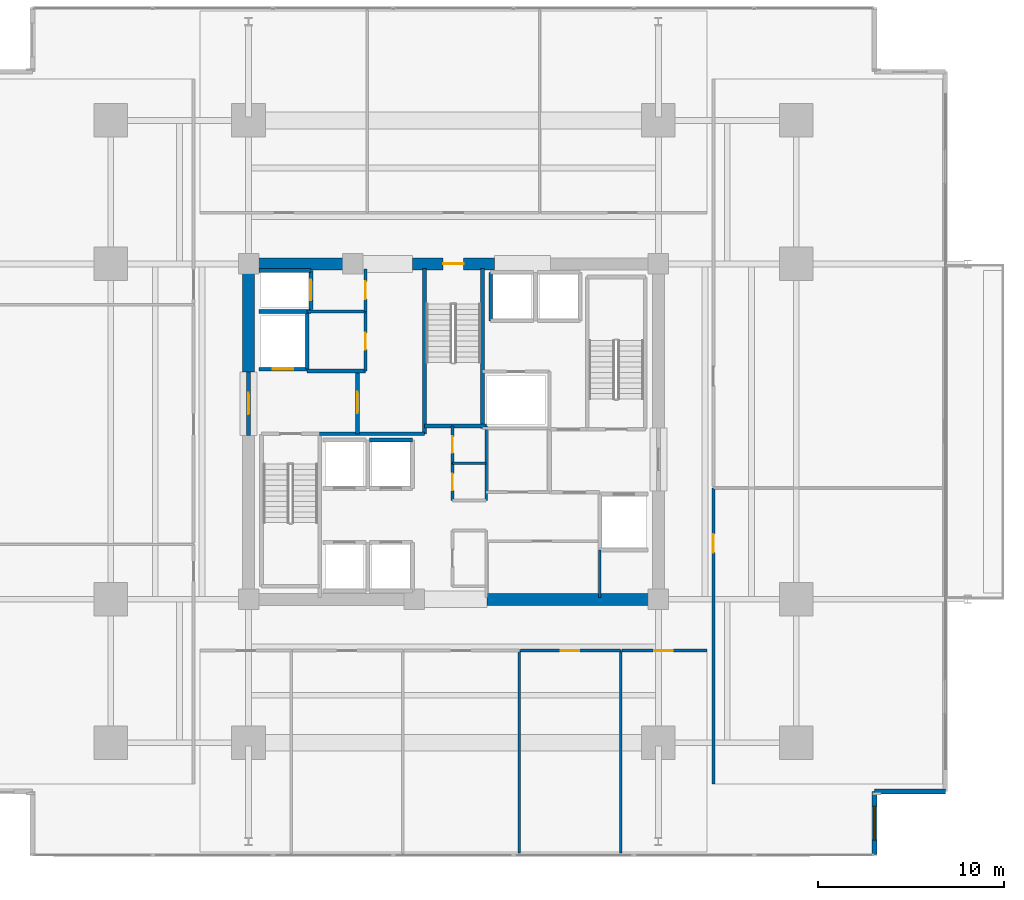
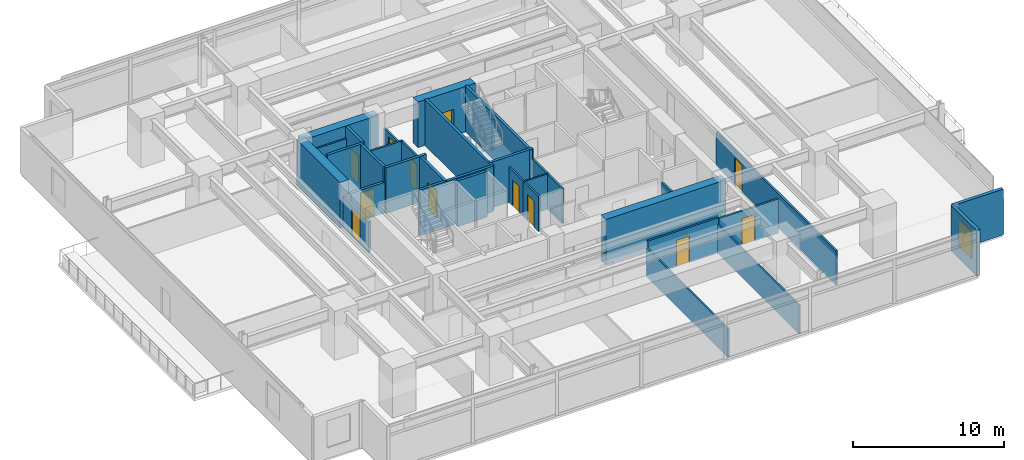
# One storey, part 17 of 23: 33 walls, 12 doors, 1 window, 13 openings.
"""IFC4 building model written with IfcOpenShell, lengths in metres."""

from ifc_helpers import new_model, si_unit, direction, frame, frame_2d, origin, place, context, subcontext, project, spatial, rectangle, extrude, material, layer, layer_set, type_object, element, fill, save


model = new_model("IFC4")

# Units and contexts
model_context = context("Model", 3, precision=1e-05, world=origin(), true_north=direction((0.0, 1.0)))
body_context = subcontext(model_context, "Body", "Model", "MODEL_VIEW")
ifc_project = project(units=[si_unit("LENGTHUNIT", "METRE"), si_unit("AREAUNIT", "SQUARE_METRE"), si_unit("VOLUMEUNIT", "CUBIC_METRE"), si_unit("PLANEANGLEUNIT", "RADIAN"), si_unit("MASSUNIT", "GRAM", prefix="KILO")], contexts=[model_context])

# Site, building, storey
site_placement = place(None, origin())
site = spatial("IfcSite", under=ifc_project, at=site_placement, CompositionType="ELEMENT")
building_placement = place(site_placement, origin())
building = spatial("IfcBuilding", under=site, at=building_placement, Name="Kovane Verandah Tower", CompositionType="ELEMENT")
storey_placement = place(building_placement, frame((0.0, 0.0, 103.60009765625)))
storey = spatial("IfcBuildingStorey", under=building, at=storey_placement, Name="L24", CompositionType="ELEMENT", Elevation=103.60009765625)

# Wall
ifc_material_1 = material(Name="Fire-Rated Gypsum Stud Partition", Category="gypsum")
ifc_layer_1 = layer(ifc_material_1, 0.14990234375)
ifc_layer_set_1 = layer_set([ifc_layer_1], Name="Fire-Rated Gypsum Stud Partition")
wall_type_1 = type_object("IfcWallType", Name="WL-COR-150", PredefinedType="PARTITIONING", material=ifc_layer_set_1)
wall_1_placement = place(storey_placement, frame((41.760009765625, 23.800048828125, 0.0), z_axis=(0.0, 0.0, 1.0), x_axis=(0.0, 1.0, 0.0)))
element("IfcWall", 1, at=wall_1_placement, inside=storey, type_object=wall_type_1, Name="L24 Central Core Strip Upper East Wall", PredefinedType="PARTITIONING", context=body_context, shape_type="SweptSolid", body=[
    extrude(rectangle(XDim=4.0, YDim=0.14990234375, at=frame_2d((2.0, 0.0))), origin(), (0.0, 0.0, 1.0), 2.849853515625),
])

# Wall, opening, door
wall_2_placement = place(storey_placement, frame((39.949951171875, 23.800048828125, 0.0), z_axis=(0.0, 0.0, 1.0), x_axis=(0.0, 1.0, 0.0)))
wall_2 = element("IfcWall", 2, at=wall_2_placement, inside=storey, type_object=wall_type_1, Name="L24 Female Toilet Partition", PredefinedType="PARTITIONING", context=body_context, shape_type="SweptSolid", body=[
    extrude(rectangle(XDim=2.0, YDim=0.14990234375, at=frame_2d((1.0, 0.0))), origin(), (0.0, 0.0, 1.0), 2.849853515625),
])
opening_1_placement = place(wall_2_placement, frame((0.550048828125, 0.0, 0.0)))
opening_1 = element("IfcOpeningElement", 3, at=opening_1_placement, cuts=wall_2, Name="Opening DR-L24-027", PredefinedType="OPENING", context=body_context, shape_type="SweptSolid", body=[
    extrude(rectangle(XDim=0.89990234375, YDim=2.10009765625, at=frame_2d((0.449951171875, 1.050048828125))), frame((0.0, 0.074951171875, 0.0), z_axis=(0.0, -1.0, 0.0), x_axis=(1.0, 0.0, 0.0)), (0.0, 0.0, 1.0), 0.14990234375),
])
ifc_material_2 = material(Name="Moisture-Resistant Laminate Washroom Door", Category="wood")
door_type_1 = type_object("IfcDoorType", Name="DR-WC-900", OperationType="SINGLE_SWING_LEFT", PredefinedType="DOOR", material=ifc_material_2)
door_1_placement = place(opening_1_placement, origin())
door_1 = element("IfcDoor", 4, at=door_1_placement, inside=storey, type_object=door_type_1, Name="L24 Female Toilet Door", OperationType="SINGLE_SWING_RIGHT", OverallHeight=2.10009765625, OverallWidth=0.89990234375, PredefinedType="DOOR", context=body_context, shape_type="SweptSolid", body=[
    extrude(rectangle(XDim=0.89990234375, YDim=2.10009765625, at=frame_2d((0.449951171875, 1.050048828125))), frame((0.0, 0.02490234375, 0.0), z_axis=(0.0, -1.0, 0.0), x_axis=(1.0, 0.0, 0.0)), (0.0, 0.0, 1.0), 0.050048828125),
])
fill(opening_1, door_1)

wall_3_placement = place(storey_placement, frame((39.949951171875, 25.800048828125, 0.0), z_axis=(0.0, 0.0, 1.0), x_axis=(0.0, 1.0, 0.0)))
wall_3 = element("IfcWall", 5, at=wall_3_placement, inside=storey, type_object=wall_type_1, Name="L24 Telecom and BMS Riser Room Partition", PredefinedType="PARTITIONING", context=body_context, shape_type="SweptSolid", body=[
    extrude(rectangle(XDim=2.0, YDim=0.14990234375, at=frame_2d((1.0, 0.0))), origin(), (0.0, 0.0, 1.0), 2.849853515625),
])
opening_2_placement = place(wall_3_placement, frame((0.56005859375, 0.0, 0.0)))
opening_2 = element("IfcOpeningElement", 6, at=opening_2_placement, cuts=wall_3, Name="Opening DR-L24-025", PredefinedType="OPENING", context=body_context, shape_type="SweptSolid", body=[
    extrude(rectangle(XDim=0.8798828125, YDim=2.10009765625, at=frame_2d((0.43994140625, 1.050048828125))), frame((0.0, 0.074951171875, 0.0), z_axis=(0.0, -1.0, 0.0), x_axis=(1.0, 0.0, 0.0)), (0.0, 0.0, 1.0), 0.14990234375),
])
ifc_material_3 = material(Name="Fire-Rated Steel Riser Access Door", Category="steel")
door_type_2 = type_object("IfcDoorType", Name="DR-RISER-880", OperationType="SINGLE_SWING_LEFT", PredefinedType="DOOR", material=ifc_material_3)
door_2_placement = place(opening_2_placement, origin())
door_2 = element("IfcDoor", 7, at=door_2_placement, inside=storey, type_object=door_type_2, Name="L24 Telecom and BMS Riser Room Door", OperationType="SINGLE_SWING_LEFT", OverallHeight=2.10009765625, OverallWidth=0.8798828125, PredefinedType="DOOR", context=body_context, shape_type="SweptSolid", body=[
    extrude(rectangle(XDim=0.8798828125, YDim=2.10009765625, at=frame_2d((0.43994140625, 1.050048828125))), frame((0.0, 0.02490234375, 0.0), z_axis=(0.0, -1.0, 0.0), x_axis=(1.0, 0.0, 0.0)), (0.0, 0.0, 1.0), 0.050048828125),
])
fill(opening_2, door_2)

# Wall
wall_4_placement = place(storey_placement, frame((32.14990234375, 33.949951171875, 0.0), z_axis=(0.0, 0.0, 1.0), x_axis=(1.0, 0.0, 0.0)))
element("IfcWall", 8, at=wall_4_placement, inside=storey, type_object=wall_type_1, Name="L24 Goods Lift Lobby South Wall", PredefinedType="PARTITIONING", context=body_context, shape_type="SweptSolid", body=[
    extrude(rectangle(XDim=3.130126953125, YDim=0.14990234375, at=frame_2d((1.56494140625, 0.0))), origin(), (0.0, 0.0, 1.0), 2.849853515625),
])

# Wall, opening, door
wall_5_placement = place(storey_placement, frame((35.280029296875, 33.949951171875, 0.0), z_axis=(0.0, 0.0, 1.0), x_axis=(0.0, 1.0, 0.0)))
wall_5 = element("IfcWall", 9, at=wall_5_placement, inside=storey, type_object=wall_type_1, Name="L24 Goods Lift Lobby East Fire Partition", PredefinedType="PARTITIONING", context=body_context, shape_type="SweptSolid", body=[
    extrude(rectangle(XDim=2.27001953125, YDim=0.14990234375, at=frame_2d((1.135009765625, 0.0))), origin(), (0.0, 0.0, 1.0), 2.47998046875),
])
opening_3_placement = place(wall_5_placement, frame((0.659912109375, 0.0, 0.0)))
opening_3 = element("IfcOpeningElement", 10, at=opening_3_placement, cuts=wall_5, Name="Opening DR-L24-008", PredefinedType="OPENING", context=body_context, shape_type="SweptSolid", body=[
    extrude(rectangle(XDim=0.949951171875, YDim=2.14990234375, at=frame_2d((0.47509765625, 1.074951171875))), frame((0.0, 0.074951171875, 0.0), z_axis=(0.0, -1.0, 0.0), x_axis=(1.0, 0.0, 0.0)), (0.0, 0.0, 1.0), 0.14990234375),
])
ifc_material_4 = material(Name="Fire-Rated Steel Refuge and Lobby Door", Category="steel")
door_type_3 = type_object("IfcDoorType", Name="DR-FIRE-950", OperationType="SINGLE_SWING_LEFT", PredefinedType="DOOR", material=ifc_material_4)
door_3_placement = place(opening_3_placement, origin())
door_3 = element("IfcDoor", 11, at=door_3_placement, inside=storey, type_object=door_type_3, Name="L24 Goods Lift Lobby Fire Door", OperationType="SINGLE_SWING_RIGHT", OverallHeight=2.14990234375, OverallWidth=0.949951171875, PredefinedType="DOOR", context=body_context, shape_type="SweptSolid", body=[
    extrude(rectangle(XDim=0.949951171875, YDim=2.14990234375, at=frame_2d((0.47509765625, 1.074951171875))), frame((0.0, 0.02490234375, 0.0), z_axis=(0.0, -1.0, 0.0), x_axis=(1.0, 0.0, 0.0)), (0.0, 0.0, 1.0), 0.050048828125),
])
fill(opening_3, door_3)

wall_6_placement = place(storey_placement, frame((35.280029296875, 30.75, 0.0), z_axis=(0.0, 0.0, 1.0), x_axis=(0.0, 1.0, 0.0)))
wall_6 = element("IfcWall", 12, at=wall_6_placement, inside=storey, type_object=wall_type_1, Name="L24 Accessible Unisex Toilet Partition", PredefinedType="PARTITIONING", context=body_context, shape_type="SweptSolid", body=[
    extrude(rectangle(XDim=3.199951171875, YDim=0.14990234375, at=frame_2d((1.60009765625, 0.0))), origin(), (0.0, 0.0, 1.0), 2.849853515625),
])
opening_4_placement = place(wall_6_placement, frame((1.14990234375, 0.0, 0.0)))
opening_4 = element("IfcOpeningElement", 13, at=opening_4_placement, cuts=wall_6, Name="Opening DR-L24-026", PredefinedType="OPENING", context=body_context, shape_type="SweptSolid", body=[
    extrude(rectangle(XDim=0.89990234375, YDim=2.10009765625, at=frame_2d((0.449951171875, 1.050048828125))), frame((0.0, 0.074951171875, 0.0), z_axis=(0.0, -1.0, 0.0), x_axis=(1.0, 0.0, 0.0)), (0.0, 0.0, 1.0), 0.14990234375),
])
door_4_placement = place(opening_4_placement, origin())
door_4 = element("IfcDoor", 14, at=door_4_placement, inside=storey, type_object=door_type_1, Name="L24 Accessible Unisex Toilet Door", OperationType="SINGLE_SWING_LEFT", OverallHeight=2.10009765625, OverallWidth=0.89990234375, PredefinedType="DOOR", context=body_context, shape_type="SweptSolid", body=[
    extrude(rectangle(XDim=0.89990234375, YDim=2.10009765625, at=frame_2d((0.449951171875, 1.050048828125))), frame((0.0, 0.02490234375, 0.0), z_axis=(0.0, -1.0, 0.0), x_axis=(1.0, 0.0, 0.0)), (0.0, 0.0, 1.0), 0.050048828125),
])
fill(opening_4, door_4)

# Wall
wall_7_placement = place(storey_placement, frame((47.85009765625, 18.60009765625, 0.0), z_axis=(0.0, 0.0, 1.0), x_axis=(0.0, 1.0, 0.0)))
element("IfcWall", 15, at=wall_7_placement, inside=storey, type_object=wall_type_1, Name="L24 East Core Support East Wall", PredefinedType="PARTITIONING", context=body_context, shape_type="SweptSolid", body=[
    extrude(rectangle(XDim=2.539794921875, YDim=0.14990234375, at=frame_2d((1.27001953125, 0.0))), origin(), (0.0, 0.0, 1.0), 2.849853515625),
])

# Wall, opening, door
wall_8_placement = place(storey_placement, frame((43.60595703125, 15.75, 0.0), z_axis=(0.0, 0.0, 1.0), x_axis=(1.0, 0.0, 0.0)))
wall_8 = element("IfcWall", 16, at=wall_8_placement, inside=storey, type_object=wall_type_1, Name="L24 Collaboration Hub S4 Corridor Partition", PredefinedType="PARTITIONING", context=body_context, shape_type="SweptSolid", body=[
    extrude(rectangle(XDim=5.3701171875, YDim=0.14990234375, at=frame_2d((2.68505859375, 0.0))), origin(), (0.0, 0.0, 1.0), 2.849853515625),
])
opening_5_placement = place(wall_8_placement, frame((2.14990234375, 0.0, 0.0)))
opening_5 = element("IfcOpeningElement", 17, at=opening_5_placement, cuts=wall_8, Name="Opening DR-L24-023", PredefinedType="OPENING", context=body_context, shape_type="SweptSolid", body=[
    extrude(rectangle(XDim=1.0, YDim=2.14990234375, at=frame_2d((0.5, 1.074951171875))), frame((0.0, 0.074951171875, 0.0), z_axis=(0.0, -1.0, 0.0), x_axis=(1.0, 0.0, 0.0)), (0.0, 0.0, 1.0), 0.14990234375),
])
ifc_material_5 = material(Name="FSC Spotted-Gum Timber Fire-Rated Office Door", Category="wood")
door_type_4 = type_object("IfcDoorType", Name="DR-OFF-1000", OperationType="SINGLE_SWING_LEFT", PredefinedType="DOOR", material=ifc_material_5)
door_5_placement = place(opening_5_placement, origin())
door_5 = element("IfcDoor", 18, at=door_5_placement, inside=storey, type_object=door_type_4, Name="L24 Collaboration Hub S4 Entrance Door", OperationType="SINGLE_SWING_LEFT", OverallHeight=2.14990234375, OverallWidth=1.0, PredefinedType="DOOR", context=body_context, shape_type="SweptSolid", body=[
    extrude(rectangle(XDim=1.0, YDim=2.14990234375, at=frame_2d((0.5, 1.074951171875))), frame((0.0, 0.02490234375, 0.0), z_axis=(0.0, -1.0, 0.0), x_axis=(1.0, 0.0, 0.0)), (0.0, 0.0, 1.0), 0.050048828125),
])
fill(opening_5, door_5)

wall_9_placement = place(storey_placement, frame((49.0458984375, 15.75, 0.0), z_axis=(0.0, 0.0, 1.0), x_axis=(1.0, 0.0, 0.0)))
wall_9 = element("IfcWall", 19, at=wall_9_placement, inside=storey, type_object=wall_type_1, Name="L24 Document and Print Room S5 Corridor Partition", PredefinedType="PARTITIONING", context=body_context, shape_type="SweptSolid", body=[
    extrude(rectangle(XDim=4.55419921875, YDim=0.14990234375, at=frame_2d((2.277099609375, 0.0))), origin(), (0.0, 0.0, 1.0), 2.75341796875),
])
opening_6_placement = place(wall_9_placement, frame((1.72705078125, 0.0, 0.0)))
opening_6 = element("IfcOpeningElement", 20, at=opening_6_placement, cuts=wall_9, Name="Opening DR-L24-024", PredefinedType="OPENING", context=body_context, shape_type="SweptSolid", body=[
    extrude(rectangle(XDim=1.0, YDim=2.14990234375, at=frame_2d((0.5, 1.074951171875))), frame((0.0, 0.074951171875, 0.0), z_axis=(0.0, -1.0, 0.0), x_axis=(1.0, 0.0, 0.0)), (0.0, 0.0, 1.0), 0.14990234375),
])
door_6_placement = place(opening_6_placement, origin())
door_6 = element("IfcDoor", 21, at=door_6_placement, inside=storey, type_object=door_type_4, Name="L24 Document and Print Room S5 Entrance Door", OperationType="SINGLE_SWING_RIGHT", OverallHeight=2.14990234375, OverallWidth=1.0, PredefinedType="DOOR", context=body_context, shape_type="SweptSolid", body=[
    extrude(rectangle(XDim=1.0, YDim=2.14990234375, at=frame_2d((0.5, 1.074951171875))), frame((0.0, 0.02490234375, 0.0), z_axis=(0.0, -1.0, 0.0), x_axis=(1.0, 0.0, 0.0)), (0.0, 0.0, 1.0), 0.050048828125),
])
fill(opening_6, door_6)

wall_10_placement = place(storey_placement, frame((53.949951171875, 8.5810546875, 0.0), z_axis=(0.0, 0.0, 1.0), x_axis=(0.0, 1.0, 0.0)))
wall_10 = element("IfcWall", 22, at=wall_10_placement, inside=storey, type_object=wall_type_1, Name="L24 Meeting Room E1 Corridor Partition", PredefinedType="PARTITIONING", context=body_context, shape_type="SweptSolid", body=[
    extrude(rectangle(XDim=15.891845703125, YDim=0.14990234375, at=frame_2d((7.94580078125, 0.0))), origin(), (0.0, 0.0, 1.0), 2.75341796875),
])
opening_7_placement = place(wall_10_placement, frame((12.42041015625, 0.0, 0.0)))
opening_7 = element("IfcOpeningElement", 23, at=opening_7_placement, cuts=wall_10, Name="Opening DR-L24-012", PredefinedType="OPENING", context=body_context, shape_type="SweptSolid", body=[
    extrude(rectangle(XDim=1.0, YDim=2.14990234375, at=frame_2d((0.5, 1.074951171875))), frame((0.0, 0.074951171875, 0.0), z_axis=(0.0, -1.0, 0.0), x_axis=(1.0, 0.0, 0.0)), (0.0, 0.0, 1.0), 0.14990234375),
])
door_7_placement = place(opening_7_placement, origin())
door_7 = element("IfcDoor", 24, at=door_7_placement, inside=storey, type_object=door_type_4, Name="L24 Meeting Room E1 Entrance Door", OperationType="SINGLE_SWING_RIGHT", OverallHeight=2.14990234375, OverallWidth=1.0, PredefinedType="DOOR", context=body_context, shape_type="SweptSolid", body=[
    extrude(rectangle(XDim=1.0, YDim=2.14990234375, at=frame_2d((0.5, 1.074951171875))), frame((0.0, 0.02490234375, 0.0), z_axis=(0.0, -1.0, 0.0), x_axis=(1.0, 0.0, 0.0)), (0.0, 0.0, 1.0), 0.050048828125),
])
fill(opening_7, door_7)

# Walls
ifc_material_6 = material(Name="Concrete C80/95", Category="concrete")
ifc_layer_2 = layer(ifc_material_6, 0.64990234375)
ifc_layer_set_2 = layer_set([ifc_layer_2], Name="Concrete C80/95")
wall_type_2 = type_object("IfcWallType", Name="WL-CORE-650", PredefinedType="SHEAR", material=ifc_layer_set_2)
wall_11_placement = place(storey_placement, frame((41.800048828125, 18.5, 0.0), z_axis=(0.0, 0.0, 1.0), x_axis=(1.0, 0.0, 0.0)))
element("IfcWall", 25, at=wall_11_placement, inside=storey, type_object=wall_type_2, Name="L24 Core Shear Wall CS-2", PredefinedType="SHEAR", context=body_context, shape_type="SweptSolid", body=[
    extrude(rectangle(XDim=9.199951171875, YDim=0.64990234375, at=frame_2d((4.60009765625, 0.0))), origin(), (0.0, 0.0, 1.0), 3.699951171875),
])
wall_12_placement = place(storey_placement, frame((29.0, 36.5, 0.0), z_axis=(0.0, 0.0, 1.0), x_axis=(1.0, 0.0, 0.0)))
element("IfcWall", 26, at=wall_12_placement, inside=storey, type_object=wall_type_2, Name="L24 Core Shear Wall CN-1", PredefinedType="SHEAR", context=body_context, shape_type="SweptSolid", body=[
    extrude(rectangle(XDim=5.800048828125, YDim=0.64990234375, at=frame_2d((2.89990234375, 0.0))), origin(), (0.0, 0.0, 1.0), 3.699951171875),
])

# Wall, opening, door
wall_13_placement = place(storey_placement, frame((37.800048828125, 36.5, 0.0), z_axis=(0.0, 0.0, 1.0), x_axis=(1.0, 0.0, 0.0)))
wall_13 = element("IfcWall", 27, at=wall_13_placement, inside=storey, type_object=wall_type_2, Name="L24 Core Shear Wall CN-2", PredefinedType="SHEAR", context=body_context, shape_type="SweptSolid", body=[
    extrude(rectangle(XDim=4.39990234375, YDim=0.64990234375, at=frame_2d((2.199951171875, 0.0))), origin(), (0.0, 0.0, 1.0), 3.699951171875),
])
opening_8_placement = place(wall_13_placement, frame((1.64990234375, 0.0, 0.0)))
opening_8 = element("IfcOpeningElement", 28, at=opening_8_placement, cuts=wall_13, Name="Opening DR-L24-011", PredefinedType="OPENING", context=body_context, shape_type="SweptSolid", body=[
    extrude(rectangle(XDim=1.10009765625, YDim=2.14990234375, at=frame_2d((0.550048828125, 1.074951171875))), frame((0.0, 0.324951171875, 0.0), z_axis=(0.0, -1.0, 0.0), x_axis=(1.0, 0.0, 0.0)), (0.0, 0.0, 1.0), 0.64990234375),
])
ifc_material_7 = material(Name="Fire-Rated Steel Exit Door", Category="steel")
door_type_5 = type_object("IfcDoorType", Name="DR-STAIR-1100", OperationType="SINGLE_SWING_LEFT", PredefinedType="DOOR", material=ifc_material_7)
door_8_placement = place(opening_8_placement, origin())
door_8 = element("IfcDoor", 29, at=door_8_placement, inside=storey, type_object=door_type_5, Name="L24 ST-03 Fire Exit Stair Door", OperationType="SINGLE_SWING_RIGHT", OverallHeight=2.14990234375, OverallWidth=1.10009765625, PredefinedType="DOOR", context=body_context, shape_type="SweptSolid", body=[
    extrude(rectangle(XDim=1.10009765625, YDim=2.14990234375, at=frame_2d((0.550048828125, 1.074951171875))), frame((0.0, 0.02490234375, 0.0), z_axis=(0.0, -1.0, 0.0), x_axis=(1.0, 0.0, 0.0)), (0.0, 0.0, 1.0), 0.050048828125),
])
fill(opening_8, door_8)

# Wall
wall_14_placement = place(storey_placement, frame((29.0, 30.699951171875, 0.0), z_axis=(0.0, 0.0, 1.0), x_axis=(0.0, 1.0, 0.0)))
element("IfcWall", 30, at=wall_14_placement, inside=storey, type_object=wall_type_2, Name="L24 Core Shear Wall CW-2", PredefinedType="SHEAR", context=body_context, shape_type="SweptSolid", body=[
    extrude(rectangle(XDim=5.800048828125, YDim=0.64990234375, at=frame_2d((2.89990234375, 0.0))), origin(), (0.0, 0.0, 1.0), 3.699951171875),
])

# Wall, opening, door
ifc_material_8 = material(Name="Concrete C45/55 Fire Wall", Category="concrete")
ifc_layer_3 = layer(ifc_material_8, 0.199951171875)
ifc_layer_set_3 = layer_set([ifc_layer_3], Name="Concrete C45/55 Fire Wall")
wall_type_3 = type_object("IfcWallType", Name="WL-FFL-200", PredefinedType="PARTITIONING", material=ifc_layer_set_3)
wall_15_placement = place(storey_placement, frame((34.85009765625, 27.3798828125, 0.0), z_axis=(0.0, 0.0, 1.0), x_axis=(0.0, 1.0, 0.0)))
wall_15 = element("IfcWall", 31, at=wall_15_placement, inside=storey, type_object=wall_type_3, Name="W-L24-FFLW-E", PredefinedType="PARTITIONING", context=body_context, shape_type="SweptSolid", body=[
    extrude(rectangle(XDim=3.3701171875, YDim=0.199951171875, at=frame_2d((1.68505859375, 0.0))), origin(), (0.0, 0.0, 1.0), 3.699951171875),
])
opening_9_placement = place(wall_15_placement, frame((1.110107421875, 0.0, 0.0)))
opening_9 = element("IfcOpeningElement", 32, at=opening_9_placement, cuts=wall_15, Name="Opening DR-L24-006", PredefinedType="OPENING", context=body_context, shape_type="SweptSolid", body=[
    extrude(rectangle(XDim=1.14990234375, YDim=2.199951171875, at=frame_2d((0.574951171875, 1.10009765625))), frame((0.0, 0.10009765625, 0.0), z_axis=(0.0, -1.0, 0.0), x_axis=(1.0, 0.0, 0.0)), (0.0, 0.0, 1.0), 0.199951171875),
])
ifc_material_9 = material(Name="Smoke-Sealed Firefighting Lobby Door", Category="steel")
door_type_6 = type_object("IfcDoorType", Name="DR-FFL-1150", OperationType="SINGLE_SWING_LEFT", PredefinedType="DOOR", material=ifc_material_9)
door_9_placement = place(opening_9_placement, origin())
door_9 = element("IfcDoor", 33, at=door_9_placement, inside=storey, type_object=door_type_6, Name="L24 West Firefighting Lobby Inner Door", OperationType="SINGLE_SWING_LEFT", OverallHeight=2.199951171875, OverallWidth=1.14990234375, PredefinedType="DOOR", context=body_context, shape_type="SweptSolid", body=[
    extrude(rectangle(XDim=1.14990234375, YDim=2.199951171875, at=frame_2d((0.574951171875, 1.10009765625))), frame((0.0, 0.02490234375, 0.0), z_axis=(0.0, -1.0, 0.0), x_axis=(1.0, 0.0, 0.0)), (0.0, 0.0, 1.0), 0.050048828125),
])
fill(opening_9, door_9)

wall_16_placement = place(storey_placement, frame((29.0, 27.300048828125, 0.0), z_axis=(0.0, 0.0, 1.0), x_axis=(0.0, 1.0, 0.0)))
wall_16 = element("IfcWall", 34, at=wall_16_placement, inside=storey, type_object=wall_type_3, Name="W-L24-FFLW-OUT", PredefinedType="PARTITIONING", context=body_context, shape_type="SweptSolid", body=[
    extrude(rectangle(XDim=3.39990234375, YDim=0.199951171875, at=frame_2d((1.699951171875, 0.0))), origin(), (0.0, 0.0, 1.0), 2.47998046875),
])
opening_10_placement = place(wall_16_placement, frame((1.125, 0.0, 0.0)))
opening_10 = element("IfcOpeningElement", 35, at=opening_10_placement, cuts=wall_16, Name="Opening DR-L24-007", PredefinedType="OPENING", context=body_context, shape_type="SweptSolid", body=[
    extrude(rectangle(XDim=1.14990234375, YDim=2.199951171875, at=frame_2d((0.574951171875, 1.10009765625))), frame((0.0, 0.10009765625, 0.0), z_axis=(0.0, -1.0, 0.0), x_axis=(1.0, 0.0, 0.0)), (0.0, 0.0, 1.0), 0.199951171875),
])
door_10_placement = place(opening_10_placement, origin())
door_10 = element("IfcDoor", 36, at=door_10_placement, inside=storey, type_object=door_type_6, Name="L24 West Firefighting Lobby Corridor Door", OperationType="SINGLE_SWING_RIGHT", OverallHeight=2.199951171875, OverallWidth=1.14990234375, PredefinedType="DOOR", context=body_context, shape_type="SweptSolid", body=[
    extrude(rectangle(XDim=1.14990234375, YDim=2.199951171875, at=frame_2d((0.574951171875, 1.10009765625))), frame((0.0, 0.02490234375, 0.0), z_axis=(0.0, -1.0, 0.0), x_axis=(1.0, 0.0, 0.0)), (0.0, 0.0, 1.0), 0.050048828125),
])
fill(opening_10, door_10)

# Walls
wall_17_placement = place(storey_placement, frame((32.820068359375, 27.3798828125, 0.0), z_axis=(0.0, 0.0, 1.0), x_axis=(1.0, 0.0, 0.0)))
element("IfcWall", 37, at=wall_17_placement, inside=storey, type_object=wall_type_3, Name="L24 West Firefighting Lobby South Fire Wall", PredefinedType="PARTITIONING", context=body_context, shape_type="SweptSolid", body=[
    extrude(rectangle(XDim=5.619873046875, YDim=0.199951171875, at=frame_2d((2.81005859375, 0.0))), origin(), (0.0, 0.0, 1.0), 3.699951171875),
])
wall_18_placement = place(storey_placement, frame((32.14990234375, 30.75, 0.0), z_axis=(0.0, 0.0, 1.0), x_axis=(1.0, 0.0, 0.0)))
element("IfcWall", 38, at=wall_18_placement, inside=storey, type_object=wall_type_3, Name="L24 West Firefighting Lobby North Fire Wall", PredefinedType="PARTITIONING", context=body_context, shape_type="SweptSolid", body=[
    extrude(rectangle(XDim=3.130126953125, YDim=0.199951171875, at=frame_2d((1.56494140625, 0.0))), origin(), (0.0, 0.0, 1.0), 3.699951171875),
])

# Wall, opening, door
ifc_material_10 = material(Name="Concrete C45/55 Lift Shaft Wall", Category="concrete")
ifc_layer_4 = layer(ifc_material_10, 0.199951171875)
ifc_layer_set_4 = layer_set([ifc_layer_4], Name="Concrete C45/55 Lift Shaft Wall")
wall_type_4 = type_object("IfcWallType", Name="WL-LIFT-200", PredefinedType="SOLIDWALL", material=ifc_layer_set_4)
wall_19_placement = place(storey_placement, frame((29.550048828125, 30.85009765625, 0.0), z_axis=(0.0, 0.0, 1.0), x_axis=(1.0, 0.0, 0.0)))
wall_19 = element("IfcWall", 39, at=wall_19_placement, inside=storey, type_object=wall_type_4, Name="L24 Lift FL-01 S Shaft Wall", PredefinedType="SOLIDWALL", context=body_context, shape_type="SweptSolid", body=[
    extrude(rectangle(XDim=2.599853515625, YDim=0.199951171875, at=frame_2d((1.2998046875, 0.0))), origin(), (0.0, 0.0, 1.0), 2.47998046875),
])
opening_11_placement = place(wall_19_placement, frame((0.75, 0.0, 0.0)))
opening_11 = element("IfcOpeningElement", 40, at=opening_11_placement, cuts=wall_19, Name="Opening LD-L24-001", PredefinedType="OPENING", context=body_context, shape_type="SweptSolid", body=[
    extrude(rectangle(XDim=1.10009765625, YDim=2.199951171875, at=frame_2d((0.550048828125, 1.10009765625))), frame((0.0, 0.10009765625, 0.0), z_axis=(0.0, -1.0, 0.0), x_axis=(1.0, 0.0, 0.0)), (0.0, 0.0, 1.0), 0.199951171875),
])
ifc_material_11 = material(Name="Brushed Stainless Steel Sliding Lift Landing Door", Category="steel")
door_type_7 = type_object("IfcDoorType", Name="DR-LIFT-1100", OperationType="SLIDING_TO_RIGHT", PredefinedType="DOOR", material=ifc_material_11)
door_11_placement = place(opening_11_placement, origin())
door_11 = element("IfcDoor", 41, at=door_11_placement, inside=storey, type_object=door_type_7, Name="L24 Lift FL-01 Sliding Landing Door", OperationType="SLIDING_TO_RIGHT", OverallHeight=2.199951171875, OverallWidth=1.10009765625, PredefinedType="DOOR", context=body_context, shape_type="SweptSolid", body=[
    extrude(rectangle(XDim=1.10009765625, YDim=2.199951171875, at=frame_2d((0.550048828125, 1.10009765625))), frame((0.0, 0.02490234375, 0.0), z_axis=(0.0, -1.0, 0.0), x_axis=(1.0, 0.0, 0.0)), (0.0, 0.0, 1.0), 0.050048828125),
])
fill(opening_11, door_11)

# Walls
wall_20_placement = place(storey_placement, frame((29.550048828125, 33.949951171875, 0.0), z_axis=(0.0, 0.0, 1.0), x_axis=(1.0, 0.0, 0.0)))
element("IfcWall", 42, at=wall_20_placement, inside=storey, type_object=wall_type_4, Name="L24 Lift FL-01 and GL-01 Shared Shaft Wall", PredefinedType="SOLIDWALL", context=body_context, shape_type="SweptSolid", body=[
    extrude(rectangle(XDim=2.800048828125, YDim=0.199951171875, at=frame_2d((1.39990234375, 0.0))), origin(), (0.0, 0.0, 1.0), 3.699951171875),
])
wall_21_placement = place(storey_placement, frame((32.14990234375, 30.85009765625, 0.0), z_axis=(0.0, 0.0, 1.0), x_axis=(0.0, 1.0, 0.0)))
element("IfcWall", 43, at=wall_21_placement, inside=storey, type_object=wall_type_4, Name="L24 Lift FL-01 E Shaft Wall", PredefinedType="SOLIDWALL", context=body_context, shape_type="SweptSolid", body=[
    extrude(rectangle(XDim=3.0, YDim=0.199951171875, at=frame_2d((1.5, 0.0))), origin(), (0.0, 0.0, 1.0), 3.699951171875),
])
wall_22_placement = place(storey_placement, frame((32.35009765625, 36.14990234375, 0.0), z_axis=(0.0, 0.0, 1.0), x_axis=(-1.0, 0.0, 0.0)))
element("IfcWall", 44, at=wall_22_placement, inside=storey, type_object=wall_type_4, Name="L24 Lift GL-01 N Shaft Wall", PredefinedType="SOLIDWALL", context=body_context, shape_type="SweptSolid", body=[
    extrude(rectangle(XDim=2.800048828125, YDim=0.199951171875, at=frame_2d((1.39990234375, 0.0))), origin(), (0.0, 0.0, 1.0), 2.75341796875),
])

# Wall, opening, door
wall_23_placement = place(storey_placement, frame((32.35009765625, 34.050048828125, 0.0), z_axis=(0.0, 0.0, 1.0), x_axis=(0.0, 1.0, 0.0)))
wall_23 = element("IfcWall", 45, at=wall_23_placement, inside=storey, type_object=wall_type_4, Name="L24 Lift GL-01 E Shaft Wall", PredefinedType="SOLIDWALL", context=body_context, shape_type="SweptSolid", body=[
    extrude(rectangle(XDim=2.099853515625, YDim=0.199951171875, at=frame_2d((1.0498046875, 0.0))), origin(), (0.0, 0.0, 1.0), 3.699951171875),
])
opening_12_placement = place(wall_23_placement, frame((0.5, 0.0, 0.0)))
opening_12 = element("IfcOpeningElement", 46, at=opening_12_placement, cuts=wall_23, Name="Opening LD-L24-003", PredefinedType="OPENING", context=body_context, shape_type="SweptSolid", body=[
    extrude(rectangle(XDim=1.10009765625, YDim=2.199951171875, at=frame_2d((0.550048828125, 1.10009765625))), frame((0.0, 0.10009765625, 0.0), z_axis=(0.0, -1.0, 0.0), x_axis=(1.0, 0.0, 0.0)), (0.0, 0.0, 1.0), 0.199951171875),
])
door_12_placement = place(opening_12_placement, origin())
door_12 = element("IfcDoor", 47, at=door_12_placement, inside=storey, type_object=door_type_7, Name="L24 Lift GL-01 Sliding Landing Door", OperationType="SLIDING_TO_RIGHT", OverallHeight=2.199951171875, OverallWidth=1.10009765625, PredefinedType="DOOR", context=body_context, shape_type="SweptSolid", body=[
    extrude(rectangle(XDim=1.10009765625, YDim=2.199951171875, at=frame_2d((0.550048828125, 1.10009765625))), frame((0.0, 0.02490234375, 0.0), z_axis=(0.0, -1.0, 0.0), x_axis=(1.0, 0.0, 0.0)), (0.0, 0.0, 1.0), 0.050048828125),
])
fill(opening_12, door_12)

# Walls
wall_24_placement = place(storey_placement, frame((37.800048828125, 27.050048828125, 0.0), z_axis=(0.0, 0.0, 1.0), x_axis=(-1.0, 0.0, 0.0)))
element("IfcWall", 48, at=wall_24_placement, inside=storey, type_object=wall_type_4, Name="L24 Lift PL-L4 N Shaft Wall", PredefinedType="SOLIDWALL", context=body_context, shape_type="SweptSolid", body=[
    extrude(rectangle(XDim=2.300048828125, YDim=0.199951171875, at=frame_2d((1.14990234375, 0.0))), origin(), (0.0, 0.0, 1.0), 3.699951171875),
])
wall_25_placement = place(storey_placement, frame((42.0, 36.050048828125, 0.0), z_axis=(0.0, 0.0, 1.0), x_axis=(0.0, -1.0, 0.0)))
element("IfcWall", 49, at=wall_25_placement, inside=storey, type_object=wall_type_4, Name="L24 Lift SL-01 W Shaft Wall", PredefinedType="SOLIDWALL", context=body_context, shape_type="SweptSolid", body=[
    extrude(rectangle(XDim=2.60009765625, YDim=0.199951171875, at=frame_2d((1.300048828125, 0.0))), origin(), (0.0, 0.0, 1.0), 2.47998046875),
])
ifc_material_12 = material(Name="Acoustic Fire-Rated Gypsum Partition", Category="gypsum")
ifc_layer_5 = layer(ifc_material_12, 0.1201171875)
ifc_layer_set_5 = layer_set([ifc_layer_5], Name="Acoustic Fire-Rated Gypsum Partition")
wall_type_5 = type_object("IfcWallType", Name="WL-PART-120", PredefinedType="PARTITIONING", material=ifc_layer_set_5)
wall_26_placement = place(storey_placement, frame((39.949951171875, 25.800048828125, 0.0), z_axis=(0.0, 0.0, 1.0), x_axis=(1.0, 0.0, 0.0)))
element("IfcWall", 50, at=wall_26_placement, inside=storey, type_object=wall_type_5, Name="L24 Central Core Strip Upper Dividing Partition", PredefinedType="PARTITIONING", context=body_context, shape_type="SweptSolid", body=[
    extrude(rectangle(XDim=1.81005859375, YDim=0.1201171875, at=frame_2d((0.905029296875, 0.0))), origin(), (0.0, 0.0, 1.0), 2.849853515625),
])
for number, where, z_axis, x_axis, name in (
    (51, (43.535888671875, 4.881103515625, 0.0), (0.0, 0.0, 1.0), (0.0, 1.0, 0.0), "L24 Breakout Pantry S3 Dividing Partition"),
    (52, (48.97607421875, 4.881103515625, 0.0), (0.0, 0.0, 1.0), (0.0, 1.0, 0.0), "L24 Collaboration Hub S4 Dividing Partition"),
):
    element("IfcWall", number, at=place(storey_placement, frame(where, z_axis=z_axis, x_axis=x_axis)), inside=storey, type_object=wall_type_5, Name=name, PredefinedType="PARTITIONING", context=body_context, shape_type="SweptSolid", body=[
        extrude(rectangle(XDim=10.868896484375, YDim=0.1201171875, at=frame_2d((5.4345703125, 0.0))), origin(), (0.0, 0.0, 1.0), 2.329833984375),
    ])
ifc_material_13 = material(Name="Concrete C45/55", Category="concrete")
ifc_layer_6 = layer(ifc_material_13, 0.199951171875)
ifc_layer_set_6 = layer_set([ifc_layer_6], Name="Concrete C45/55")
wall_type_6 = type_object("IfcWallType", Name="WL-SHAFT-200", PredefinedType="SOLIDWALL", material=ifc_layer_set_6)
wall_27_placement = place(storey_placement, frame((38.43994140625, 27.3798828125, 0.0), z_axis=(0.0, 0.0, 1.0), x_axis=(0.0, 1.0, 0.0)))
element("IfcWall", 53, at=wall_27_placement, inside=storey, type_object=wall_type_6, Name="W-L24-ST03-W", PredefinedType="SOLIDWALL", context=body_context, shape_type="SweptSolid", body=[
    extrude(rectangle(XDim=8.8701171875, YDim=0.199951171875, at=frame_2d((4.43505859375, 0.0))), origin(), (0.0, 0.0, 1.0), 3.699951171875),
])
wall_28_placement = place(storey_placement, frame((41.56005859375, 27.679931640625, 0.0), z_axis=(0.0, 0.0, 1.0), x_axis=(0.0, 1.0, 0.0)))
element("IfcWall", 54, at=wall_28_placement, inside=storey, type_object=wall_type_6, Name="W-L24-ST03-E", PredefinedType="SOLIDWALL", context=body_context, shape_type="SweptSolid", body=[
    extrude(rectangle(XDim=8.570068359375, YDim=0.199951171875, at=frame_2d((4.28515625, 0.0))), origin(), (0.0, 0.0, 1.0), 3.699951171875),
])
wall_29_placement = place(storey_placement, frame((38.43994140625, 27.800048828125, 0.0), z_axis=(0.0, 0.0, 1.0), x_axis=(1.0, 0.0, 0.0)))
element("IfcWall", 55, at=wall_29_placement, inside=storey, type_object=wall_type_6, Name="W-L24-ST03-S", PredefinedType="SOLIDWALL", context=body_context, shape_type="SweptSolid", body=[
    extrude(rectangle(XDim=3.320068359375, YDim=0.199951171875, at=frame_2d((1.66015625, 0.0))), origin(), (0.0, 0.0, 1.0), 3.699951171875),
])

# Wall, opening, window
ifc_material_14 = material(Name="Concrete C45/55 Insulated Spandrel Wall", Category="concrete")
ifc_layer_7 = layer(ifc_material_14, 0.260009765625)
ifc_layer_set_7 = layer_set([ifc_layer_7], Name="Concrete C45/55 Insulated Spandrel Wall")
wall_type_7 = type_object("IfcWallType", Name="WL-SPANDREL-260", PredefinedType="PARAPET", material=ifc_layer_set_7)
wall_30_placement = place(storey_placement, frame((62.5986328125, 4.781005859375, 0.0), z_axis=(0.0, 0.0, 1.0), x_axis=(0.0, 1.0, 0.0)))
wall_30 = element("IfcWall", 56, at=wall_30_placement, inside=storey, type_object=wall_type_7, Name="L24 SE Notch Cheek Wall 1", PredefinedType="PARAPET", context=body_context, shape_type="SweptSolid", body=[
    extrude(rectangle(XDim=3.39990234375, YDim=0.260009765625, at=frame_2d((1.699951171875, 0.0))), origin(), (0.0, 0.0, 1.0), 3.699951171875),
])
opening_13_placement = place(wall_30_placement, frame((0.800048828125, 0.0, 0.85009765625)))
opening_13 = element("IfcOpeningElement", 57, at=opening_13_placement, cuts=wall_30, Name="Opening W-03", PredefinedType="OPENING", context=body_context, shape_type="SweptSolid", body=[
    extrude(rectangle(XDim=1.800048828125, YDim=2.199951171875, at=frame_2d((0.89990234375, 1.10009765625))), frame((0.0, 0.1298828125, 0.0), z_axis=(0.0, -1.0, 0.0), x_axis=(1.0, 0.0, 0.0)), (0.0, 0.0, 1.0), 0.260009765625),
])
ifc_material_15 = material(Name="Clear Low-E Laminated Double Glazing in Anodised Frame", Category="glass")
window_type = type_object("IfcWindowType", Name="WN-NOTCH-1800x2200", PartitioningType="SINGLE_PANEL", PredefinedType="WINDOW", material=ifc_material_15)
window_placement = place(opening_13_placement, origin())
window = element("IfcWindow", 58, at=window_placement, inside=storey, type_object=window_type, Name="L24 SE Re-Entrant Corner Operable Window", OverallHeight=2.199951171875, OverallWidth=1.800048828125, PartitioningType="SINGLE_PANEL", PredefinedType="WINDOW", context=body_context, shape_type="SweptSolid", body=[
    extrude(rectangle(XDim=1.800048828125, YDim=2.199951171875, at=frame_2d((0.89990234375, 1.10009765625))), frame((0.0, 0.030029296875, 0.0), z_axis=(0.0, -1.0, 0.0), x_axis=(1.0, 0.0, 0.0)), (0.0, 0.0, 1.0), 0.06005859375),
])
fill(opening_13, window)

# Wall
wall_31_placement = place(storey_placement, frame((62.5986328125, 8.180908203125, 0.0), z_axis=(0.0, 0.0, 1.0), x_axis=(1.0, 0.0, 0.0)))
element("IfcWall", 59, at=wall_31_placement, inside=storey, type_object=wall_type_7, Name="L24 SE Notch Cheek Wall 2", PredefinedType="PARAPET", context=body_context, shape_type="SweptSolid", body=[
    extrude(rectangle(XDim=3.800048828125, YDim=0.260009765625, at=frame_2d((1.89990234375, 0.0))), origin(), (0.0, 0.0, 1.0), 3.699951171875),
])

save(model, "model.ifc")
